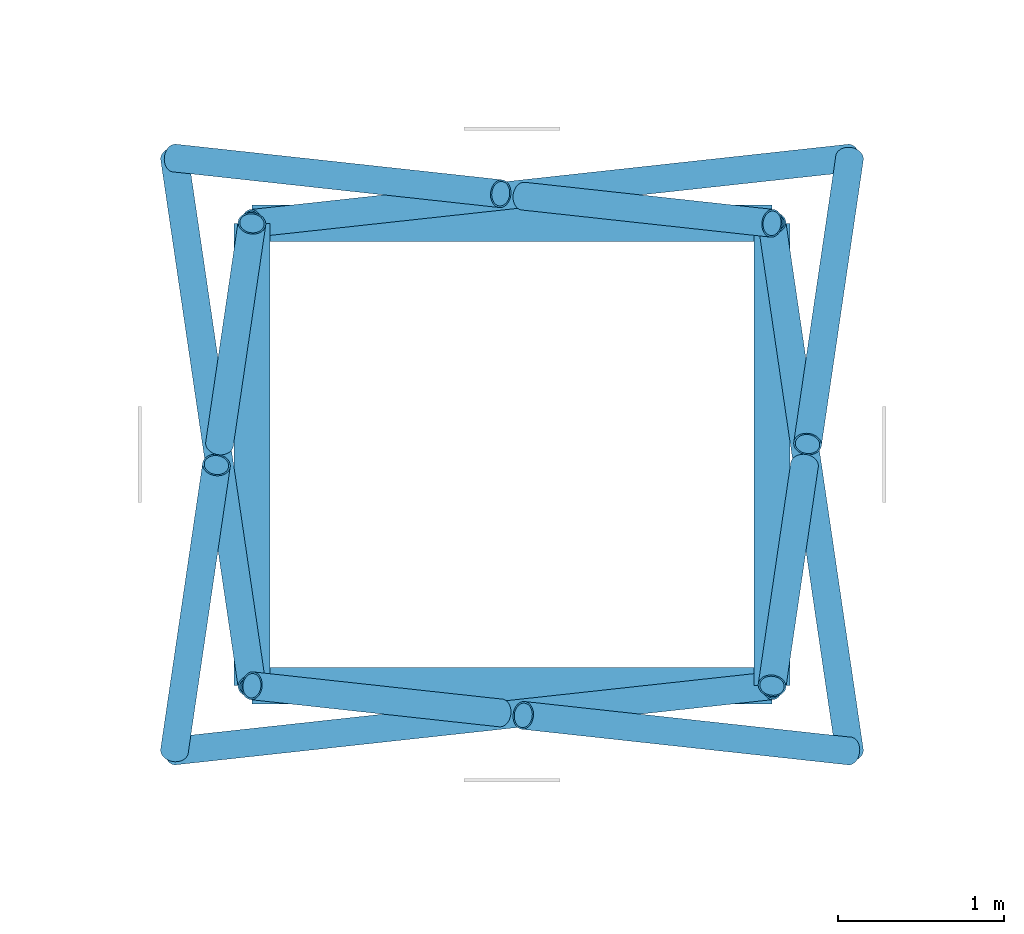
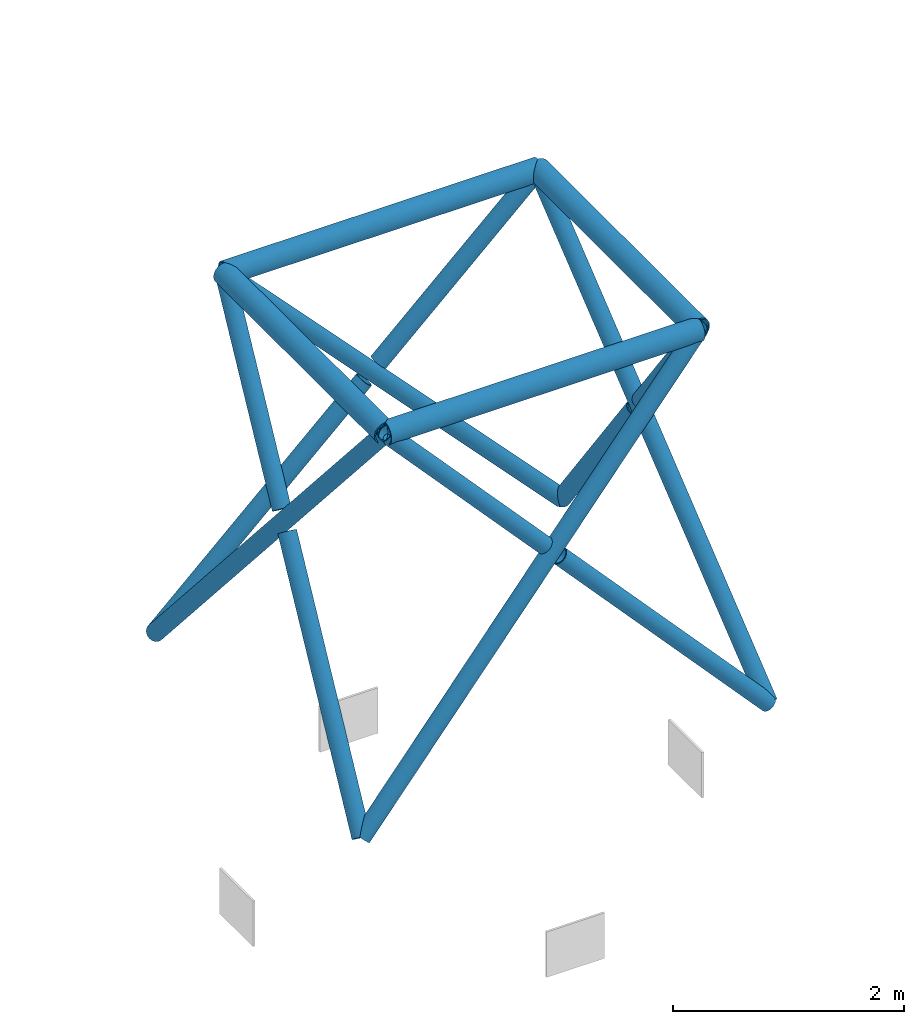
# One storey, part 39 of 127: 16 members.
"""IFC4 building model written with IfcOpenShell, lengths in metres."""

import ifcopenshell
import ifcopenshell.guid

model = None  # the IFC model being written
_history = None  # IfcOwnerHistory: only IFC2X3 demands one
_inside = {}  # id of a spatial element -> (the spatial element, [elements in it])
_under = {}  # id of a project, library or spatial element -> (it, [spatial elements below it])
_declared = {}  # id of a project -> (the project, [libraries it declares])
_typed = {}  # id of a type object -> (the type object, [elements of that type])
_made_of = {}  # id of a material, layer set ... -> (it, [elements and type objects made of it])


def new_model(schema):
    """Start an empty IFC model of exactly this schema.

    Asked for "IFC4X3", IfcOpenShell would pick the latest addendum, in which some entities
    have other attributes; the version numbers below select the first issue.
    IFC2X3 requires an IfcOwnerHistory on every rooted entity: one is made here for all.
    """
    global model, _history
    if schema == "IFC4X3":
        model = ifcopenshell.file(schema_version=(4, 3, 0, 0))
    else:
        model = ifcopenshell.file(schema=schema)
    _inside.clear()
    _under.clear()
    _declared.clear()
    _typed.clear()
    _made_of.clear()
    _history = None
    if model.schema == "IFC2X3":
        org = make("IfcOrganization", Name="unknown")
        user = make(
            "IfcPersonAndOrganization",
            ThePerson=make("IfcPerson", FamilyName="unknown"),
            TheOrganization=org,
        )
        app = make(
            "IfcApplication",
            ApplicationDeveloper=org,
            Version="unknown",
            ApplicationFullName="unknown",
            ApplicationIdentifier="unknown",
        )
        _history = make(
            "IfcOwnerHistory",
            OwningUser=user,
            OwningApplication=app,
            ChangeAction="ADDED",
            CreationDate=0,
        )
    return model


def make(cls, **values):
    """One entity of the class cls with the attributes given. An attribute that is None is left unset."""
    return model.create_entity(
        cls, **{name: value for name, value in values.items() if value is not None}
    )


def rooted(cls, **values):
    """An entity with a GlobalId (a new one), such as an element, a storey or a relation."""
    return make(cls, GlobalId=ifcopenshell.guid.new(), OwnerHistory=_history, **values)


def si_unit(unit_type, name, prefix=None):
    """IfcSIUnit, for example si_unit("LENGTHUNIT", "METRE", prefix="MILLI")."""
    return make("IfcSIUnit", UnitType=unit_type, Prefix=prefix, Name=name)


def assignment(units):
    """IfcUnitAssignment: the units of a project."""
    return None if units is None else make("IfcUnitAssignment", Units=units)


def point(xyz):
    """IfcCartesianPoint."""
    return None if xyz is None else make("IfcCartesianPoint", Coordinates=xyz)


def direction(xyz):
    """IfcDirection."""
    return None if xyz is None else make("IfcDirection", DirectionRatios=xyz)


def frame(location, z_axis=None, x_axis=None):
    """IfcAxis2Placement3D, a coordinate frame: its origin and axes. An axis left out is left unset."""
    return make(
        "IfcAxis2Placement3D",
        Location=point(location),
        Axis=direction(z_axis),
        RefDirection=direction(x_axis),
    )


def frame_2d(location, x_axis=None):
    """IfcAxis2Placement2D, a coordinate frame in the plane: its origin and x axis."""
    return make(
        "IfcAxis2Placement2D", Location=point(location), RefDirection=direction(x_axis)
    )


def origin():
    """The frame at (0, 0, 0) with its axes left unset."""
    return frame((0.0, 0.0, 0.0))


def origin_2d():
    """The frame at (0, 0) in the plane with its x axis left unset."""
    return frame_2d((0.0, 0.0))


def place(relative_to, where):
    """IfcLocalPlacement: puts the frame where relative to a parent placement (None: the world)."""
    return make(
        "IfcLocalPlacement", PlacementRelTo=relative_to, RelativePlacement=where
    )


def context(
    kind, dimensions, precision=None, world=None, true_north=None, identifier=None
):
    """IfcGeometricRepresentationContext, for example the 3D "Model" context."""
    return make(
        "IfcGeometricRepresentationContext",
        ContextIdentifier=identifier,
        ContextType=kind,
        CoordinateSpaceDimension=dimensions,
        Precision=precision,
        WorldCoordinateSystem=world,
        TrueNorth=true_north,
    )


def subcontext(parent, identifier, kind, view, scale=None):
    """IfcGeometricRepresentationSubContext, for example "Body" below "Model"."""
    return make(
        "IfcGeometricRepresentationSubContext",
        ContextIdentifier=identifier,
        ContextType=kind,
        ParentContext=parent,
        TargetScale=scale,
        TargetView=view,
    )


def project(units=None, contexts=None):
    """IfcProject with its units and contexts."""
    return rooted(
        "IfcProject",
        Name="project",
        RepresentationContexts=contexts,
        UnitsInContext=assignment(units),
    )


def spatial(cls, under=None, at=None, **own):
    """A site, building, storey or space (cls), placed at a placement, below another one or the project."""
    s = rooted(cls, ObjectPlacement=at, **own)
    if under is not None:
        _under.setdefault(under.id(), (under, []))[1].append(s)
    return s


def profile(cls, at=None, kind="AREA", **sizes):
    """A parametric profile (cls). Its sizes go by their IFC names, for example OverallWidth=200.0."""
    return make(cls, ProfileType=kind, Position=at, **sizes)


def hollow_circle(**sizes):
    """IfcCircleHollowProfileDef."""
    return profile("IfcCircleHollowProfileDef", **sizes)


def extrude(swept, where, along, depth):
    """IfcExtrudedAreaSolid: the profile swept, set in the frame where, extruded along a direction by depth."""
    return make(
        "IfcExtrudedAreaSolid",
        SweptArea=swept,
        Position=where,
        ExtrudedDirection=direction(along),
        Depth=depth,
    )


def shape(context_of_items, identifier, shape_type, items):
    """IfcShapeRepresentation: the items that make up one representation, for example the "Body"."""
    return make(
        "IfcShapeRepresentation",
        ContextOfItems=context_of_items,
        RepresentationIdentifier=identifier,
        RepresentationType=shape_type,
        Items=items,
    )


def material(Name=None, Category=None):
    """IfcMaterial."""
    return make("IfcMaterial", Name=Name, Category=Category)


def material_profile(
    of_material, cross_section, Name=None, Category=None, Priority=None
):
    """IfcMaterialProfile: a cross section and its material."""
    return make(
        "IfcMaterialProfile",
        Name=Name,
        Material=of_material,
        Profile=cross_section,
        Priority=Priority,
        Category=Category,
    )


def profile_set(profiles, Name=None, composite=None):
    """IfcMaterialProfileSet."""
    return make(
        "IfcMaterialProfileSet",
        Name=Name,
        MaterialProfiles=profiles,
        CompositeProfile=composite,
    )


def made_of(thing, what):
    """Note that an element or type object is made of a material, layer set ...; save() writes the relation."""
    if what is not None:
        _made_of.setdefault(what.id(), (what, []))[1].append(thing)
    return thing


def type_object(cls, material=None, **own):
    """A type object (cls), such as IfcWallType, which elements share."""
    return made_of(rooted(cls, **own), material)


def element(
    cls,
    number,
    at=None,
    inside=None,
    cuts=None,
    type_object=None,
    material=None,
    context=None,
    identifier="Body",
    shape_type=None,
    held_by="IfcProductDefinitionShape",
    body=None,
    shapes=None,
    **own,
):
    """One element of the class cls, such as IfcWall. Its Tag is "e" and its number.

    at: its placement. inside: the storey or other place that contains it. cuts: it is an
    opening in that element (IfcRelVoidsElement). A single representation is given by context,
    identifier, shape_type and body (its items); several are given by shapes. held_by: the class
    of the entity that holds the representations. save() writes the other relations.
    """
    e = rooted(cls, Tag="e%d" % number, ObjectPlacement=at, **own)
    if body is not None:
        shapes = [shape(context, identifier, shape_type, body)]
    if shapes is not None:
        e.Representation = make(held_by, Representations=shapes)
    if inside is not None:
        _inside.setdefault(inside.id(), (inside, []))[1].append(e)
    if cuts is not None:
        rooted(
            "IfcRelVoidsElement", RelatingBuildingElement=cuts, RelatedOpeningElement=e
        )
    if type_object is not None:
        _typed.setdefault(type_object.id(), (type_object, []))[1].append(e)
    return made_of(e, material)


def aggregate(whole, parts):
    """IfcRelAggregates: a whole, such as a stair, and the parts it consists of."""
    return rooted("IfcRelAggregates", RelatingObject=whole, RelatedObjects=parts)


def save(model, path):
    """Write the relations noted so far, then the file.

    IfcRelAggregates (storeys below a building ...), IfcRelContainedInSpatialStructure (elements
    in a storey), IfcRelDefinesByType, IfcRelAssociatesMaterial and IfcRelDeclares: one each for
    every whole, place, type object, material and project.
    """
    for whole, parts in _under.values():
        aggregate(whole, parts)
    for where, things in _inside.values():
        rooted(
            "IfcRelContainedInSpatialStructure",
            RelatedElements=things,
            RelatingStructure=where,
        )
    for kind, things in _typed.values():
        rooted("IfcRelDefinesByType", RelatedObjects=things, RelatingType=kind)
    for what, things in _made_of.values():
        rooted("IfcRelAssociatesMaterial", RelatedObjects=things, RelatingMaterial=what)
    for by, libraries in _declared.values():
        rooted("IfcRelDeclares", RelatingContext=by, RelatedDefinitions=libraries)
    model.write(path)


model = new_model("IFC4")

# Units and contexts
model_context = context("Model", 3, precision=1e-05, world=origin(), true_north=direction((0.0, 1.0)))
body_context = subcontext(model_context, "Body", "Model", "MODEL_VIEW")
ifc_project = project(units=[si_unit("LENGTHUNIT", "METRE"), si_unit("AREAUNIT", "SQUARE_METRE"), si_unit("VOLUMEUNIT", "CUBIC_METRE"), si_unit("PLANEANGLEUNIT", "RADIAN"), si_unit("MASSUNIT", "GRAM", prefix="KILO")], contexts=[model_context])

# Site, building, storey
site_placement = place(None, origin())
site = spatial("IfcSite", under=ifc_project, at=site_placement, CompositionType="ELEMENT")
building_placement = place(site_placement, origin())
building = spatial("IfcBuilding", under=site, at=building_placement, Name="Cumevento Cable Car Station", CompositionType="ELEMENT")
storey_placement = place(building_placement, frame((0.0, 0.0, 4.5)))
storey = spatial("IfcBuildingStorey", under=building, at=storey_placement, Name="L02", CompositionType="ELEMENT", Elevation=4.5)

# Members
ifc_material_1 = material(Name="Steel ASTM A572 Grade 50", Category="steel")
ifc_material_profile_1 = material_profile(ifc_material_1, hollow_circle(Radius=0.109619140625, WallThickness=0.012451171875, at=origin_2d()), Name="CHS219.1x12.5")
ifc_profile_set_1 = profile_set([ifc_material_profile_1], Name="Steel ASTM A572 Grade 50")
member_type_1 = type_object("IfcMemberType", Name="Framing Brace TD-01 CHS219.1x12.5", PredefinedType="BRACE", material=ifc_profile_set_1)
member_1_placement = place(storey_placement, frame((92.43310546875, 5.806884765625, 7.425048828125), z_axis=(1.0, 0.0, 0.0), x_axis=(0.0, 1.0, 0.0)))
element("IfcMember", 1, at=member_1_placement, inside=storey, type_object=member_type_1, Name="PYLON_S02 Horizontal Lattice Girt #619", PredefinedType="BRACE", context=body_context, shape_type="SweptSolid", body=[
    extrude(hollow_circle(Radius=0.109619140625, WallThickness=0.012451171875, at=origin_2d()), origin(), (0.0, 0.0, 1.0), 3.1337890625),
])
member_2_placement = place(storey_placement, frame((95.56689453125, 5.806884765625, 7.425048828125), z_axis=(0.0, 1.0, 0.0), x_axis=(-1.0, 0.0, 0.0)))
element("IfcMember", 2, at=member_2_placement, inside=storey, type_object=member_type_1, Name="PYLON_S02 Horizontal Lattice Girt #623", PredefinedType="BRACE", context=body_context, shape_type="SweptSolid", body=[
    extrude(hollow_circle(Radius=0.109619140625, WallThickness=0.012451171875, at=origin_2d()), origin(), (0.0, 0.0, 1.0), 2.786376953125),
])
member_3_placement = place(storey_placement, frame((95.56689453125, 8.59326171875, 7.425048828125), z_axis=(-1.0, 0.0, 0.0), x_axis=(0.0, -1.0, 0.0)))
element("IfcMember", 3, at=member_3_placement, inside=storey, type_object=member_type_1, Name="PYLON_S02 Horizontal Lattice Girt #627", PredefinedType="BRACE", context=body_context, shape_type="SweptSolid", body=[
    extrude(hollow_circle(Radius=0.109619140625, WallThickness=0.012451171875, at=origin_2d()), origin(), (0.0, 0.0, 1.0), 3.1337890625),
])
member_4_placement = place(storey_placement, frame((92.43310546875, 8.59326171875, 7.425048828125), z_axis=(0.0, -1.0, 0.0), x_axis=(1.0, 0.0, 0.0)))
element("IfcMember", 4, at=member_4_placement, inside=storey, type_object=member_type_1, Name="PYLON_S02 Horizontal Lattice Girt #631", PredefinedType="BRACE", context=body_context, shape_type="SweptSolid", body=[
    extrude(hollow_circle(Radius=0.109619140625, WallThickness=0.012451171875, at=origin_2d()), origin(), (0.0, 0.0, 1.0), 2.786376953125),
])
ifc_material_2 = material(Name="Steel ASTM A572 Grade 50", Category="steel")
ifc_material_profile_2 = material_profile(ifc_material_2, hollow_circle(Radius=0.084228515625, WallThickness=0.010009765625, at=origin_2d()), Name="CHS168.3x10.0")
ifc_profile_set_2 = profile_set([ifc_material_profile_2], Name="Steel ASTM A572 Grade 50")
member_type_2 = type_object("IfcMemberType", Name="Framing Brace TD-02 CHS168.3x10.0", PredefinedType="BRACE", material=ifc_profile_set_2)
member_5_placement = place(storey_placement, frame((91.96630859375, 5.413818359375, 3.550048828125), z_axis=(0.678820226537, 0.074105001676, 0.730555643857), x_axis=(-0.10852260043, 0.994093982074, 0.0)))
element("IfcMember", 5, at=member_5_placement, inside=storey, type_object=member_type_2, Name="PYLON_S02 Lattice X-Brace A #620", PredefinedType="BRACE", context=body_context, shape_type="SweptSolid", body=[
    extrude(hollow_circle(Radius=0.084228515625, WallThickness=0.010009765625, at=origin_2d()), origin(), (0.0, 0.0, 1.0), 5.30419921875),
])
member_6_placement = place(storey_placement, frame((96.03369140625, 5.413818359375, 3.550048828125), z_axis=(-0.678848425548, 0.074106776708, 0.730529260726), x_axis=(-0.108520714262, -0.99409418798, 0.0)))
element("IfcMember", 6, at=member_6_placement, inside=storey, type_object=member_type_2, Name="PYLON_S02 Lattice X-Brace B Lower #621", PredefinedType="BRACE", context=body_context, shape_type="SweptSolid", body=[
    extrude(hollow_circle(Radius=0.084228515625, WallThickness=0.010009765625, at=origin_2d()), origin(), (0.0, 0.0, 1.0), 2.895751953125),
])
member_7_placement = place(storey_placement, frame((93.93212890625, 5.64306640625, 5.811767578125), z_axis=(-0.678813644777, 0.074183054665, 0.730553837897), x_axis=(-0.108636597251, -0.99408153073, 0.0)))
element("IfcMember", 7, at=member_7_placement, inside=storey, type_object=member_type_2, Name="PYLON_S02 Lattice X-Brace B Upper #622", PredefinedType="BRACE", context=body_context, shape_type="SweptSolid", body=[
    extrude(hollow_circle(Radius=0.084228515625, WallThickness=0.010009765625, at=origin_2d()), origin(), (0.0, 0.0, 1.0), 2.208251953125),
])
member_8_placement = place(storey_placement, frame((96.03369140625, 5.413818359375, 3.550048828125), z_axis=(-0.092726571624, 0.631578526287, 0.769746937667), x_axis=(-0.989393523805, -0.145259956808, 0.0)))
element("IfcMember", 8, at=member_8_placement, inside=storey, type_object=member_type_2, Name="PYLON_S02 Lattice X-Brace A #624", PredefinedType="BRACE", context=body_context, shape_type="SweptSolid", body=[
    extrude(hollow_circle(Radius=0.084228515625, WallThickness=0.010009765625, at=origin_2d()), origin(), (0.0, 0.0, 1.0), 5.0341796875),
])
member_9_placement = place(storey_placement, frame((96.03369140625, 8.986328125, 3.550048828125), z_axis=(-0.092712415743, -0.631625704938, 0.769709930317), x_axis=(0.989398269507, -0.145227629245, 0.0)))
element("IfcMember", 9, at=member_9_placement, inside=storey, type_object=member_type_2, Name="PYLON_S02 Lattice X-Brace B Lower #625", PredefinedType="BRACE", context=body_context, shape_type="SweptSolid", body=[
    extrude(hollow_circle(Radius=0.084228515625, WallThickness=0.010009765625, at=origin_2d()), origin(), (0.0, 0.0, 1.0), 2.72802734375),
])
member_10_placement = place(storey_placement, frame((95.76220703125, 7.13671875, 5.803955078125), z_axis=(-0.092748147527, -0.631498949478, 0.769809624478), x_axis=(0.98938603357, -0.145310965092, 0.0)))
element("IfcMember", 10, at=member_10_placement, inside=storey, type_object=member_type_2, Name="PYLON_S02 Lattice X-Brace B Upper #626", PredefinedType="BRACE", context=body_context, shape_type="SweptSolid", body=[
    extrude(hollow_circle(Radius=0.084228515625, WallThickness=0.010009765625, at=origin_2d()), origin(), (0.0, 0.0, 1.0), 2.10595703125),
])
member_11_placement = place(storey_placement, frame((96.03369140625, 8.986328125, 3.550048828125), z_axis=(-0.678820226537, -0.074105001676, 0.730555643857), x_axis=(0.10852260043, -0.994093982074, 0.0)))
element("IfcMember", 11, at=member_11_placement, inside=storey, type_object=member_type_2, Name="PYLON_S02 Lattice X-Brace A #628", PredefinedType="BRACE", context=body_context, shape_type="SweptSolid", body=[
    extrude(hollow_circle(Radius=0.084228515625, WallThickness=0.010009765625, at=origin_2d()), origin(), (0.0, 0.0, 1.0), 5.30419921875),
])
member_12_placement = place(storey_placement, frame((91.96630859375, 8.986328125, 3.550048828125), z_axis=(0.678848425548, -0.074106776708, 0.730529260726), x_axis=(0.108520714262, 0.99409418798, 0.0)))
element("IfcMember", 12, at=member_12_placement, inside=storey, type_object=member_type_2, Name="PYLON_S02 Lattice X-Brace B Lower #629", PredefinedType="BRACE", context=body_context, shape_type="SweptSolid", body=[
    extrude(hollow_circle(Radius=0.084228515625, WallThickness=0.010009765625, at=origin_2d()), origin(), (0.0, 0.0, 1.0), 2.895751953125),
])
member_13_placement = place(storey_placement, frame((94.06787109375, 8.7568359375, 5.811767578125), z_axis=(0.678819207905, -0.074073105749, 0.730559825055), x_axis=(0.108476601261, 0.994099002604, 0.0)))
element("IfcMember", 13, at=member_13_placement, inside=storey, type_object=member_type_2, Name="PYLON_S02 Lattice X-Brace B Upper #630", PredefinedType="BRACE", context=body_context, shape_type="SweptSolid", body=[
    extrude(hollow_circle(Radius=0.084228515625, WallThickness=0.010009765625, at=origin_2d()), origin(), (0.0, 0.0, 1.0), 2.208251953125),
])
member_14_placement = place(storey_placement, frame((91.96630859375, 8.986328125, 3.550048828125), z_axis=(0.092726571624, -0.631578526287, 0.769746937667), x_axis=(0.989393523805, 0.145259956808, 0.0)))
element("IfcMember", 14, at=member_14_placement, inside=storey, type_object=member_type_2, Name="PYLON_S02 Lattice X-Brace A #632", PredefinedType="BRACE", context=body_context, shape_type="SweptSolid", body=[
    extrude(hollow_circle(Radius=0.084228515625, WallThickness=0.010009765625, at=origin_2d()), origin(), (0.0, 0.0, 1.0), 5.0341796875),
])
member_15_placement = place(storey_placement, frame((91.96630859375, 5.413818359375, 3.550048828125), z_axis=(0.092717656354, 0.631571912055, 0.769753438513), x_axis=(-0.989395312323, 0.145247774347, 0.0)))
element("IfcMember", 15, at=member_15_placement, inside=storey, type_object=member_type_2, Name="PYLON_S02 Lattice X-Brace B Lower #633", PredefinedType="BRACE", context=body_context, shape_type="SweptSolid", body=[
    extrude(hollow_circle(Radius=0.084228515625, WallThickness=0.010009765625, at=origin_2d()), origin(), (0.0, 0.0, 1.0), 2.72802734375),
])
member_16_placement = place(storey_placement, frame((92.23779296875, 7.26318359375, 5.803955078125), z_axis=(0.092741357285, 0.631568643109, 0.769753265463), x_axis=(-0.989389867888, 0.145284855784, 0.0)))
element("IfcMember", 16, at=member_16_placement, inside=storey, type_object=member_type_2, Name="PYLON_S02 Lattice X-Brace B Upper #634", PredefinedType="BRACE", context=body_context, shape_type="SweptSolid", body=[
    extrude(hollow_circle(Radius=0.084228515625, WallThickness=0.010009765625, at=origin_2d()), origin(), (0.0, 0.0, 1.0), 2.10595703125),
])

save(model, "model.ifc")
